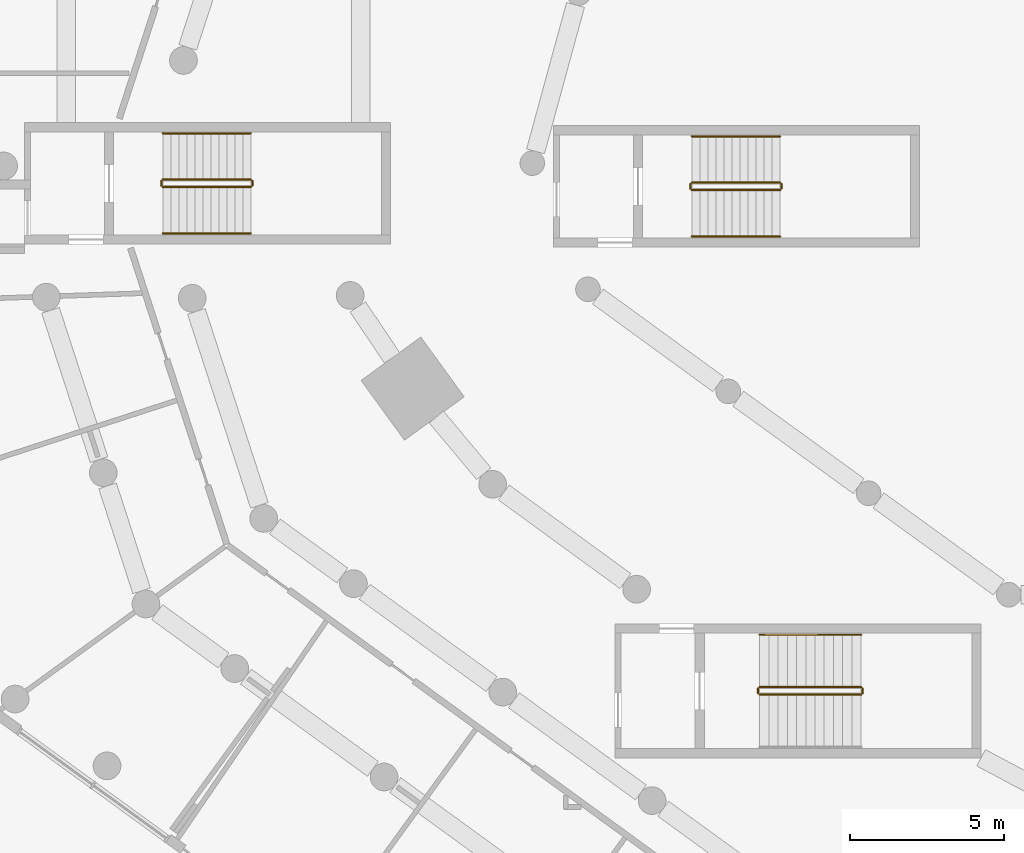
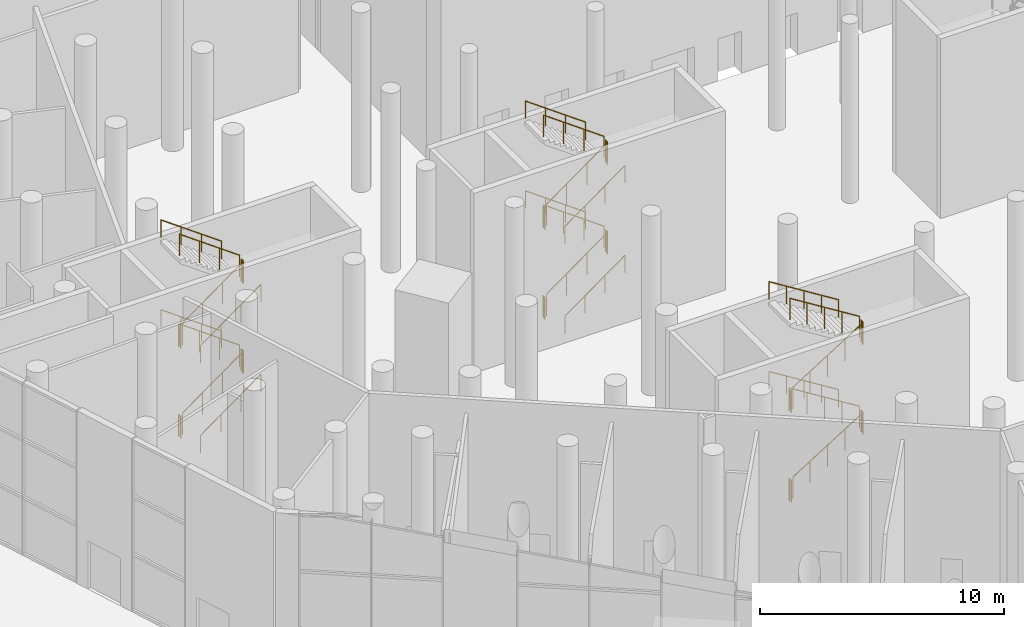
# One storey, part 20 of 25: 34 railings.
"""IFC4 building model written with IfcOpenShell, lengths in metres."""

from ifc_helpers import new_model, si_unit, direction, frame, origin, origin_2d, place, context, subcontext, project, spatial, circle, extrude, material, type_object, element, save


model = new_model("IFC4")

# Units and contexts
model_context = context("Model", 3, precision=1e-05, world=origin(), true_north=direction((0.0, 1.0)))
body_context = subcontext(model_context, "Body", "Model", "MODEL_VIEW")
ifc_project = project(units=[si_unit("LENGTHUNIT", "METRE"), si_unit("AREAUNIT", "SQUARE_METRE"), si_unit("VOLUMEUNIT", "CUBIC_METRE"), si_unit("PLANEANGLEUNIT", "RADIAN"), si_unit("MASSUNIT", "GRAM", prefix="KILO")], contexts=[model_context])

# Site, building, storey
site_placement = place(None, origin())
site = spatial("IfcSite", under=ifc_project, at=site_placement, CompositionType="ELEMENT")
building_placement = place(site_placement, origin())
building = spatial("IfcBuilding", under=site, at=building_placement, Name="White Candle Pilgrim Tower", CompositionType="ELEMENT")
storey_placement = place(building_placement, origin())
storey = spatial("IfcBuildingStorey", under=building, at=storey_placement, Name="L00", CompositionType="ELEMENT", Elevation=0.0)

# Railings
ifc_material = material(Name="Stainless steel", Category="steel")
railing_type_1 = type_object("IfcRailingType", Name="Stair guard stainless steel 1100 mm", PredefinedType="GUARDRAIL", material=ifc_material)
railing_1_placement = place(storey_placement, frame((57.5, 59.75, 0.1875)))
element("IfcRailing", 1, at=railing_1_placement, inside=storey, type_object=railing_type_1, Name="L00 ST5 stair guard 1", PredefinedType="GUARDRAIL", context=body_context, shape_type="SweptSolid", body=[
    extrude(circle(Radius=0.02392578125, at=origin_2d()), frame((0.0, 0.0, 1.076171875), z_axis=(0.811100754333, 0.0, 0.584906459462), x_axis=(0.0, 1.0, 0.0)), (0.0, 0.0, 1.0), 3.526123046875),
    extrude(circle(Radius=0.02099609375, at=origin_2d()), origin(), (0.0, 0.0, 1.0), 1.052001953125),
    extrude(circle(Radius=0.02099609375, at=origin_2d()), frame((0.953369140625, 0.0, 0.6875)), (0.0, 0.0, 1.0), 1.052001953125),
    extrude(circle(Radius=0.02099609375, at=origin_2d()), frame((1.90673828125, 0.0, 1.375)), (0.0, 0.0, 1.0), 1.052001953125),
    extrude(circle(Radius=0.02099609375, at=origin_2d()), frame((2.860107421875, 0.0, 2.0625)), (0.0, 0.0, 1.0), 1.052001953125),
])
railing_2_placement = place(storey_placement, frame((60.409912109375, 59.800048828125, 2.25)))
element("IfcRailing", 2, at=railing_2_placement, inside=storey, type_object=railing_type_1, Name="L00 ST5 stair guard 2", PredefinedType="GUARDRAIL", context=body_context, shape_type="SweptSolid", body=[
    extrude(circle(Radius=0.02392578125, at=origin_2d()), frame((0.0, 0.0, 1.076171875), z_axis=(0.0, 1.0, 0.0), x_axis=(-1.0, 0.0, 0.0)), (0.0, 0.0, 1.0), 0.14990234375),
    extrude(circle(Radius=0.02099609375, at=origin_2d()), origin(), (0.0, 0.0, 1.0), 1.052001953125),
    extrude(circle(Radius=0.02099609375, at=origin_2d()), frame((0.0, 0.14990234375, 0.0)), (0.0, 0.0, 1.0), 1.052001953125),
])
railing_3_placement = place(storey_placement, frame((60.360107421875, 60.0, 2.4375)))
element("IfcRailing", 3, at=railing_3_placement, inside=storey, type_object=railing_type_1, Name="L00 ST5 stair guard 3", PredefinedType="GUARDRAIL", context=body_context, shape_type="SweptSolid", body=[
    extrude(circle(Radius=0.02392578125, at=origin_2d()), frame((0.0, 0.0, 1.076171875), z_axis=(-0.811100754333, 0.0, 0.584906459462), x_axis=(0.0, -1.0, 0.0)), (0.0, 0.0, 1.0), 3.526123046875),
    extrude(circle(Radius=0.02099609375, at=origin_2d()), origin(), (0.0, 0.0, 1.0), 1.052001953125),
    extrude(circle(Radius=0.02099609375, at=origin_2d()), frame((-0.953369140625, 0.0, 0.6875)), (0.0, 0.0, 1.0), 1.052001953125),
    extrude(circle(Radius=0.02099609375, at=origin_2d()), frame((-1.90673828125, 0.0, 1.375)), (0.0, 0.0, 1.0), 1.052001953125),
    extrude(circle(Radius=0.02099609375, at=origin_2d()), frame((-2.860107421875, 0.0, 2.0625)), (0.0, 0.0, 1.0), 1.052001953125),
])
railing_4_placement = place(storey_placement, frame((57.449951171875, 59.800048828125, 4.5)))
element("IfcRailing", 4, at=railing_4_placement, inside=storey, type_object=railing_type_1, Name="L00 ST5 stair guard 4", PredefinedType="GUARDRAIL", context=body_context, shape_type="SweptSolid", body=[
    extrude(circle(Radius=0.02392578125, at=origin_2d()), frame((0.0, 0.0, 1.076171875), z_axis=(0.0, 1.0, 0.0), x_axis=(-1.0, 0.0, 0.0)), (0.0, 0.0, 1.0), 0.14990234375),
    extrude(circle(Radius=0.02099609375, at=origin_2d()), origin(), (0.0, 0.0, 1.0), 1.052001953125),
    extrude(circle(Radius=0.02099609375, at=origin_2d()), frame((0.0, 0.14990234375, 0.0)), (0.0, 0.0, 1.0), 1.052001953125),
])
railing_5_placement = place(storey_placement, frame((57.5, 59.75, 4.6875)))
element("IfcRailing", 5, at=railing_5_placement, inside=storey, type_object=railing_type_1, Name="L00 ST5 stair guard 5", PredefinedType="GUARDRAIL", context=body_context, shape_type="SweptSolid", body=[
    extrude(circle(Radius=0.02392578125, at=origin_2d()), frame((0.0, 0.0, 1.076171875), z_axis=(0.811100754333, 0.0, 0.584906459462), x_axis=(0.0, 1.0, 0.0)), (0.0, 0.0, 1.0), 3.526123046875),
    extrude(circle(Radius=0.02099609375, at=origin_2d()), origin(), (0.0, 0.0, 1.0), 1.052001953125),
    extrude(circle(Radius=0.02099609375, at=origin_2d()), frame((0.953369140625, 0.0, 0.6875)), (0.0, 0.0, 1.0), 1.052001953125),
    extrude(circle(Radius=0.02099609375, at=origin_2d()), frame((1.90673828125, 0.0, 1.375)), (0.0, 0.0, 1.0), 1.052001953125),
    extrude(circle(Radius=0.02099609375, at=origin_2d()), frame((2.860107421875, 0.0, 2.0625)), (0.0, 0.0, 1.0), 1.052001953125),
])
railing_6_placement = place(storey_placement, frame((60.409912109375, 59.800048828125, 6.75)))
element("IfcRailing", 6, at=railing_6_placement, inside=storey, type_object=railing_type_1, Name="L00 ST5 stair guard 6", PredefinedType="GUARDRAIL", context=body_context, shape_type="SweptSolid", body=[
    extrude(circle(Radius=0.02392578125, at=origin_2d()), frame((0.0, 0.0, 1.076171875), z_axis=(0.0, 1.0, 0.0), x_axis=(-1.0, 0.0, 0.0)), (0.0, 0.0, 1.0), 0.14990234375),
    extrude(circle(Radius=0.02099609375, at=origin_2d()), origin(), (0.0, 0.0, 1.0), 1.052001953125),
    extrude(circle(Radius=0.02099609375, at=origin_2d()), frame((0.0, 0.14990234375, 0.0)), (0.0, 0.0, 1.0), 1.052001953125),
])
railing_7_placement = place(storey_placement, frame((60.360107421875, 60.0, 6.9375)))
element("IfcRailing", 7, at=railing_7_placement, inside=storey, type_object=railing_type_1, Name="L00 ST5 stair guard 7", PredefinedType="GUARDRAIL", context=body_context, shape_type="SweptSolid", body=[
    extrude(circle(Radius=0.02392578125, at=origin_2d()), frame((0.0, 0.0, 1.076171875), z_axis=(-0.811100754333, 0.0, 0.584906459462), x_axis=(0.0, -1.0, 0.0)), (0.0, 0.0, 1.0), 3.526123046875),
    extrude(circle(Radius=0.02099609375, at=origin_2d()), origin(), (0.0, 0.0, 1.0), 1.052001953125),
    extrude(circle(Radius=0.02099609375, at=origin_2d()), frame((-0.953369140625, 0.0, 0.6875)), (0.0, 0.0, 1.0), 1.052001953125),
    extrude(circle(Radius=0.02099609375, at=origin_2d()), frame((-1.90673828125, 0.0, 1.375)), (0.0, 0.0, 1.0), 1.052001953125),
    extrude(circle(Radius=0.02099609375, at=origin_2d()), frame((-2.860107421875, 0.0, 2.0625)), (0.0, 0.0, 1.0), 1.052001953125),
])
railing_8_placement = place(storey_placement, frame((57.449951171875, 59.800048828125, 0.0)))
element("IfcRailing", 8, at=railing_8_placement, inside=storey, type_object=railing_type_1, Name="L00 ST5 stair guard 8", PredefinedType="GUARDRAIL", context=body_context, shape_type="SweptSolid", body=[
    extrude(circle(Radius=0.02392578125, at=origin_2d()), frame((0.0, 0.0, 1.076171875), z_axis=(0.0, 1.0, 0.0), x_axis=(-1.0, 0.0, 0.0)), (0.0, 0.0, 1.0), 0.14990234375),
    extrude(circle(Radius=0.02099609375, at=origin_2d()), origin(), (0.0, 0.0, 1.0), 1.052001953125),
    extrude(circle(Radius=0.02099609375, at=origin_2d()), frame((0.0, 0.14990234375, 0.0)), (0.0, 0.0, 1.0), 1.052001953125),
])
railing_9_placement = place(storey_placement, frame((59.699951171875, 43.35009765625, 0.1875)))
element("IfcRailing", 9, at=railing_9_placement, inside=storey, type_object=railing_type_1, Name="L00 ST6 stair guard 1", PredefinedType="GUARDRAIL", context=body_context, shape_type="SweptSolid", body=[
    extrude(circle(Radius=0.02392578125, at=origin_2d()), frame((0.0, 0.0, 1.076171875), z_axis=(0.848001828478, 0.0, 0.529993300805), x_axis=(0.0, 1.0, 0.0)), (0.0, 0.0, 1.0), 3.8916015625),
    extrude(circle(Radius=0.02099609375, at=origin_2d()), origin(), (0.0, 0.0, 1.0), 1.052001953125),
    extrude(circle(Radius=0.02099609375, at=origin_2d()), frame((0.824951171875, 0.0, 0.515625)), (0.0, 0.0, 1.0), 1.052001953125),
    extrude(circle(Radius=0.02099609375, at=origin_2d()), frame((1.64990234375, 0.0, 1.03125)), (0.0, 0.0, 1.0), 1.052001953125),
    extrude(circle(Radius=0.02099609375, at=origin_2d()), frame((2.47509765625, 0.0, 1.546875)), (0.0, 0.0, 1.0), 1.052001953125),
    extrude(circle(Radius=0.02099609375, at=origin_2d()), frame((3.300048828125, 0.0, 2.0625)), (0.0, 0.0, 1.0), 1.052001953125),
])
railing_10_placement = place(storey_placement, frame((63.050048828125, 43.39990234375, 2.25)))
element("IfcRailing", 10, at=railing_10_placement, inside=storey, type_object=railing_type_1, Name="L00 ST6 stair guard 2", PredefinedType="GUARDRAIL", context=body_context, shape_type="SweptSolid", body=[
    extrude(circle(Radius=0.02392578125, at=origin_2d()), frame((0.0, 0.0, 1.076171875), z_axis=(0.0, 1.0, 0.0), x_axis=(-1.0, 0.0, 0.0)), (0.0, 0.0, 1.0), 0.150146484375),
    extrude(circle(Radius=0.02099609375, at=origin_2d()), origin(), (0.0, 0.0, 1.0), 1.052001953125),
    extrude(circle(Radius=0.02099609375, at=origin_2d()), frame((0.0, 0.150146484375, 0.0)), (0.0, 0.0, 1.0), 1.052001953125),
])
railing_11_placement = place(storey_placement, frame((63.0, 43.60009765625, 2.4375)))
element("IfcRailing", 11, at=railing_11_placement, inside=storey, type_object=railing_type_1, Name="L00 ST6 stair guard 3", PredefinedType="GUARDRAIL", context=body_context, shape_type="SweptSolid", body=[
    extrude(circle(Radius=0.02392578125, at=origin_2d()), frame((0.0, 0.0, 1.076171875), z_axis=(-0.848001828478, 0.0, 0.529993300805), x_axis=(0.0, -1.0, 0.0)), (0.0, 0.0, 1.0), 3.8916015625),
    extrude(circle(Radius=0.02099609375, at=origin_2d()), origin(), (0.0, 0.0, 1.0), 1.052001953125),
    extrude(circle(Radius=0.02099609375, at=origin_2d()), frame((-0.824951171875, 0.0, 0.515625)), (0.0, 0.0, 1.0), 1.052001953125),
    extrude(circle(Radius=0.02099609375, at=origin_2d()), frame((-1.64990234375, 0.0, 1.03125)), (0.0, 0.0, 1.0), 1.052001953125),
    extrude(circle(Radius=0.02099609375, at=origin_2d()), frame((-2.47509765625, 0.0, 1.546875)), (0.0, 0.0, 1.0), 1.052001953125),
    extrude(circle(Radius=0.02099609375, at=origin_2d()), frame((-3.300048828125, 0.0, 2.0625)), (0.0, 0.0, 1.0), 1.052001953125),
])
railing_12_placement = place(storey_placement, frame((59.64990234375, 43.39990234375, 4.5)))
element("IfcRailing", 12, at=railing_12_placement, inside=storey, type_object=railing_type_1, Name="L00 ST6 stair guard 4", PredefinedType="GUARDRAIL", context=body_context, shape_type="SweptSolid", body=[
    extrude(circle(Radius=0.02392578125, at=origin_2d()), frame((0.0, 0.0, 1.076171875), z_axis=(0.0, 1.0, 0.0), x_axis=(-1.0, 0.0, 0.0)), (0.0, 0.0, 1.0), 0.150146484375),
    extrude(circle(Radius=0.02099609375, at=origin_2d()), origin(), (0.0, 0.0, 1.0), 1.052001953125),
    extrude(circle(Radius=0.02099609375, at=origin_2d()), frame((0.0, 0.150146484375, 0.0)), (0.0, 0.0, 1.0), 1.052001953125),
])
railing_13_placement = place(storey_placement, frame((59.699951171875, 43.35009765625, 4.6875)))
element("IfcRailing", 13, at=railing_13_placement, inside=storey, type_object=railing_type_1, Name="L00 ST6 stair guard 5", PredefinedType="GUARDRAIL", context=body_context, shape_type="SweptSolid", body=[
    extrude(circle(Radius=0.02392578125, at=origin_2d()), frame((0.0, 0.0, 1.076171875), z_axis=(0.848001828478, 0.0, 0.529993300805), x_axis=(0.0, 1.0, 0.0)), (0.0, 0.0, 1.0), 3.8916015625),
    extrude(circle(Radius=0.02099609375, at=origin_2d()), origin(), (0.0, 0.0, 1.0), 1.052001953125),
    extrude(circle(Radius=0.02099609375, at=origin_2d()), frame((0.824951171875, 0.0, 0.515625)), (0.0, 0.0, 1.0), 1.052001953125),
    extrude(circle(Radius=0.02099609375, at=origin_2d()), frame((1.64990234375, 0.0, 1.03125)), (0.0, 0.0, 1.0), 1.052001953125),
    extrude(circle(Radius=0.02099609375, at=origin_2d()), frame((2.47509765625, 0.0, 1.546875)), (0.0, 0.0, 1.0), 1.052001953125),
    extrude(circle(Radius=0.02099609375, at=origin_2d()), frame((3.300048828125, 0.0, 2.0625)), (0.0, 0.0, 1.0), 1.052001953125),
])
railing_14_placement = place(storey_placement, frame((63.050048828125, 43.39990234375, 6.75)))
element("IfcRailing", 14, at=railing_14_placement, inside=storey, type_object=railing_type_1, Name="L00 ST6 stair guard 6", PredefinedType="GUARDRAIL", context=body_context, shape_type="SweptSolid", body=[
    extrude(circle(Radius=0.02392578125, at=origin_2d()), frame((0.0, 0.0, 1.076171875), z_axis=(0.0, 1.0, 0.0), x_axis=(-1.0, 0.0, 0.0)), (0.0, 0.0, 1.0), 0.150146484375),
    extrude(circle(Radius=0.02099609375, at=origin_2d()), origin(), (0.0, 0.0, 1.0), 1.052001953125),
    extrude(circle(Radius=0.02099609375, at=origin_2d()), frame((0.0, 0.150146484375, 0.0)), (0.0, 0.0, 1.0), 1.052001953125),
])
railing_15_placement = place(storey_placement, frame((63.0, 43.60009765625, 6.9375)))
element("IfcRailing", 15, at=railing_15_placement, inside=storey, type_object=railing_type_1, Name="L00 ST6 stair guard 7", PredefinedType="GUARDRAIL", context=body_context, shape_type="SweptSolid", body=[
    extrude(circle(Radius=0.02392578125, at=origin_2d()), frame((0.0, 0.0, 1.076171875), z_axis=(-0.848001828478, 0.0, 0.529993300805), x_axis=(0.0, -1.0, 0.0)), (0.0, 0.0, 1.0), 3.8916015625),
    extrude(circle(Radius=0.02099609375, at=origin_2d()), origin(), (0.0, 0.0, 1.0), 1.052001953125),
    extrude(circle(Radius=0.02099609375, at=origin_2d()), frame((-0.824951171875, 0.0, 0.515625)), (0.0, 0.0, 1.0), 1.052001953125),
    extrude(circle(Radius=0.02099609375, at=origin_2d()), frame((-1.64990234375, 0.0, 1.03125)), (0.0, 0.0, 1.0), 1.052001953125),
    extrude(circle(Radius=0.02099609375, at=origin_2d()), frame((-2.47509765625, 0.0, 1.546875)), (0.0, 0.0, 1.0), 1.052001953125),
    extrude(circle(Radius=0.02099609375, at=origin_2d()), frame((-3.300048828125, 0.0, 2.0625)), (0.0, 0.0, 1.0), 1.052001953125),
])
railing_16_placement = place(storey_placement, frame((59.64990234375, 43.39990234375, 0.0)))
element("IfcRailing", 16, at=railing_16_placement, inside=storey, type_object=railing_type_1, Name="L00 ST6 stair guard 8", PredefinedType="GUARDRAIL", context=body_context, shape_type="SweptSolid", body=[
    extrude(circle(Radius=0.02392578125, at=origin_2d()), frame((0.0, 0.0, 1.076171875), z_axis=(0.0, 1.0, 0.0), x_axis=(-1.0, 0.0, 0.0)), (0.0, 0.0, 1.0), 0.150146484375),
    extrude(circle(Radius=0.02099609375, at=origin_2d()), origin(), (0.0, 0.0, 1.0), 1.052001953125),
    extrude(circle(Radius=0.02099609375, at=origin_2d()), frame((0.0, 0.150146484375, 0.0)), (0.0, 0.0, 1.0), 1.052001953125),
])
railing_17_placement = place(storey_placement, frame((40.300048828125, 59.85009765625, 0.1875)))
element("IfcRailing", 17, at=railing_17_placement, inside=storey, type_object=railing_type_1, Name="L00 ST8 stair guard 1", PredefinedType="GUARDRAIL", context=body_context, shape_type="SweptSolid", body=[
    extrude(circle(Radius=0.02392578125, at=origin_2d()), frame((0.0, 0.0, 1.076171875), z_axis=(0.811077065594, 0.0, 0.584939307678), x_axis=(0.0, 1.0, 0.0)), (0.0, 0.0, 1.0), 3.526123046875),
    extrude(circle(Radius=0.02099609375, at=origin_2d()), origin(), (0.0, 0.0, 1.0), 1.052001953125),
    extrude(circle(Radius=0.02099609375, at=origin_2d()), frame((0.953369140625, 0.0, 0.6875)), (0.0, 0.0, 1.0), 1.052001953125),
    extrude(circle(Radius=0.02099609375, at=origin_2d()), frame((1.906494140625, 0.0, 1.375)), (0.0, 0.0, 1.0), 1.052001953125),
    extrude(circle(Radius=0.02099609375, at=origin_2d()), frame((2.85986328125, 0.0, 2.0625)), (0.0, 0.0, 1.0), 1.052001953125),
])
railing_18_placement = place(storey_placement, frame((43.2099609375, 59.89990234375, 2.25)))
element("IfcRailing", 18, at=railing_18_placement, inside=storey, type_object=railing_type_1, Name="L00 ST8 stair guard 2", PredefinedType="GUARDRAIL", context=body_context, shape_type="SweptSolid", body=[
    extrude(circle(Radius=0.02392578125, at=origin_2d()), frame((0.0, 0.0, 1.076171875), z_axis=(0.0, 1.0, 0.0), x_axis=(-1.0, 0.0, 0.0)), (0.0, 0.0, 1.0), 0.150146484375),
    extrude(circle(Radius=0.02099609375, at=origin_2d()), origin(), (0.0, 0.0, 1.0), 1.052001953125),
    extrude(circle(Radius=0.02099609375, at=origin_2d()), frame((0.0, 0.150146484375, 0.0)), (0.0, 0.0, 1.0), 1.052001953125),
])
railing_19_placement = place(storey_placement, frame((43.159912109375, 60.10009765625, 2.4375)))
element("IfcRailing", 19, at=railing_19_placement, inside=storey, type_object=railing_type_1, Name="L00 ST8 stair guard 3", PredefinedType="GUARDRAIL", context=body_context, shape_type="SweptSolid", body=[
    extrude(circle(Radius=0.02392578125, at=origin_2d()), frame((0.0, 0.0, 1.076171875), z_axis=(-0.811077065594, 0.0, 0.584939307678), x_axis=(0.0, -1.0, 0.0)), (0.0, 0.0, 1.0), 3.526123046875),
    extrude(circle(Radius=0.02099609375, at=origin_2d()), origin(), (0.0, 0.0, 1.0), 1.052001953125),
    extrude(circle(Radius=0.02099609375, at=origin_2d()), frame((-0.953369140625, 0.0, 0.6875)), (0.0, 0.0, 1.0), 1.052001953125),
    extrude(circle(Radius=0.02099609375, at=origin_2d()), frame((-1.906494140625, 0.0, 1.375)), (0.0, 0.0, 1.0), 1.052001953125),
    extrude(circle(Radius=0.02099609375, at=origin_2d()), frame((-2.85986328125, 0.0, 2.0625)), (0.0, 0.0, 1.0), 1.052001953125),
])
railing_20_placement = place(storey_placement, frame((40.25, 59.89990234375, 4.5)))
element("IfcRailing", 20, at=railing_20_placement, inside=storey, type_object=railing_type_1, Name="L00 ST8 stair guard 4", PredefinedType="GUARDRAIL", context=body_context, shape_type="SweptSolid", body=[
    extrude(circle(Radius=0.02392578125, at=origin_2d()), frame((0.0, 0.0, 1.076171875), z_axis=(0.0, 1.0, 0.0), x_axis=(-1.0, 0.0, 0.0)), (0.0, 0.0, 1.0), 0.150146484375),
    extrude(circle(Radius=0.02099609375, at=origin_2d()), origin(), (0.0, 0.0, 1.0), 1.052001953125),
    extrude(circle(Radius=0.02099609375, at=origin_2d()), frame((0.0, 0.150146484375, 0.0)), (0.0, 0.0, 1.0), 1.052001953125),
])
railing_21_placement = place(storey_placement, frame((40.300048828125, 59.85009765625, 4.6875)))
element("IfcRailing", 21, at=railing_21_placement, inside=storey, type_object=railing_type_1, Name="L00 ST8 stair guard 5", PredefinedType="GUARDRAIL", context=body_context, shape_type="SweptSolid", body=[
    extrude(circle(Radius=0.02392578125, at=origin_2d()), frame((0.0, 0.0, 1.076171875), z_axis=(0.811077065594, 0.0, 0.584939307678), x_axis=(0.0, 1.0, 0.0)), (0.0, 0.0, 1.0), 3.526123046875),
    extrude(circle(Radius=0.02099609375, at=origin_2d()), origin(), (0.0, 0.0, 1.0), 1.052001953125),
    extrude(circle(Radius=0.02099609375, at=origin_2d()), frame((0.953369140625, 0.0, 0.6875)), (0.0, 0.0, 1.0), 1.052001953125),
    extrude(circle(Radius=0.02099609375, at=origin_2d()), frame((1.906494140625, 0.0, 1.375)), (0.0, 0.0, 1.0), 1.052001953125),
    extrude(circle(Radius=0.02099609375, at=origin_2d()), frame((2.85986328125, 0.0, 2.0625)), (0.0, 0.0, 1.0), 1.052001953125),
])
railing_22_placement = place(storey_placement, frame((43.2099609375, 59.89990234375, 6.75)))
element("IfcRailing", 22, at=railing_22_placement, inside=storey, type_object=railing_type_1, Name="L00 ST8 stair guard 6", PredefinedType="GUARDRAIL", context=body_context, shape_type="SweptSolid", body=[
    extrude(circle(Radius=0.02392578125, at=origin_2d()), frame((0.0, 0.0, 1.076171875), z_axis=(0.0, 1.0, 0.0), x_axis=(-1.0, 0.0, 0.0)), (0.0, 0.0, 1.0), 0.150146484375),
    extrude(circle(Radius=0.02099609375, at=origin_2d()), origin(), (0.0, 0.0, 1.0), 1.052001953125),
    extrude(circle(Radius=0.02099609375, at=origin_2d()), frame((0.0, 0.150146484375, 0.0)), (0.0, 0.0, 1.0), 1.052001953125),
])
railing_23_placement = place(storey_placement, frame((43.159912109375, 60.10009765625, 6.9375)))
element("IfcRailing", 23, at=railing_23_placement, inside=storey, type_object=railing_type_1, Name="L00 ST8 stair guard 7", PredefinedType="GUARDRAIL", context=body_context, shape_type="SweptSolid", body=[
    extrude(circle(Radius=0.02392578125, at=origin_2d()), frame((0.0, 0.0, 1.076171875), z_axis=(-0.811077065594, 0.0, 0.584939307678), x_axis=(0.0, -1.0, 0.0)), (0.0, 0.0, 1.0), 3.526123046875),
    extrude(circle(Radius=0.02099609375, at=origin_2d()), origin(), (0.0, 0.0, 1.0), 1.052001953125),
    extrude(circle(Radius=0.02099609375, at=origin_2d()), frame((-0.953369140625, 0.0, 0.6875)), (0.0, 0.0, 1.0), 1.052001953125),
    extrude(circle(Radius=0.02099609375, at=origin_2d()), frame((-1.906494140625, 0.0, 1.375)), (0.0, 0.0, 1.0), 1.052001953125),
    extrude(circle(Radius=0.02099609375, at=origin_2d()), frame((-2.85986328125, 0.0, 2.0625)), (0.0, 0.0, 1.0), 1.052001953125),
])
railing_24_placement = place(storey_placement, frame((40.25, 59.89990234375, 0.0)))
element("IfcRailing", 24, at=railing_24_placement, inside=storey, type_object=railing_type_1, Name="L00 ST8 stair guard 8", PredefinedType="GUARDRAIL", context=body_context, shape_type="SweptSolid", body=[
    extrude(circle(Radius=0.02392578125, at=origin_2d()), frame((0.0, 0.0, 1.076171875), z_axis=(0.0, 1.0, 0.0), x_axis=(-1.0, 0.0, 0.0)), (0.0, 0.0, 1.0), 0.150146484375),
    extrude(circle(Radius=0.02099609375, at=origin_2d()), origin(), (0.0, 0.0, 1.0), 1.052001953125),
    extrude(circle(Radius=0.02099609375, at=origin_2d()), frame((0.0, 0.150146484375, 0.0)), (0.0, 0.0, 1.0), 1.052001953125),
])
railing_type_2 = type_object("IfcRailingType", Name="Stair handrail stainless steel", PredefinedType="HANDRAIL", material=ifc_material)
railing_25_placement = place(storey_placement, frame((57.5, 58.25, 0.1875)))
element("IfcRailing", 25, at=railing_25_placement, inside=storey, type_object=railing_type_2, Name="L00 ST5 stair handrail 1", PredefinedType="HANDRAIL", context=body_context, shape_type="SweptSolid", body=[
    extrude(circle(Radius=0.02392578125, at=origin_2d()), frame((0.0, 0.0, 0.8759765625), z_axis=(0.811100754333, 0.0, 0.584906459462), x_axis=(0.0, 1.0, 0.0)), (0.0, 0.0, 1.0), 3.526123046875),
    extrude(circle(Radius=0.02099609375, at=origin_2d()), origin(), (0.0, 0.0, 1.0), 0.851806640625),
    extrude(circle(Radius=0.02099609375, at=origin_2d()), frame((0.953369140625, 0.0, 0.6875)), (0.0, 0.0, 1.0), 0.851806640625),
    extrude(circle(Radius=0.02099609375, at=origin_2d()), frame((1.90673828125, 0.0, 1.375)), (0.0, 0.0, 1.0), 0.851806640625),
    extrude(circle(Radius=0.02099609375, at=origin_2d()), frame((2.860107421875, 0.0, 2.0625)), (0.0, 0.0, 1.0), 0.851806640625),
])
railing_26_placement = place(storey_placement, frame((60.360107421875, 61.5, 2.4375)))
element("IfcRailing", 26, at=railing_26_placement, inside=storey, type_object=railing_type_2, Name="L00 ST5 stair handrail 2", PredefinedType="HANDRAIL", context=body_context, shape_type="SweptSolid", body=[
    extrude(circle(Radius=0.02392578125, at=origin_2d()), frame((0.0, 0.0, 0.8759765625), z_axis=(-0.811100754333, 0.0, 0.584906459462), x_axis=(0.0, -1.0, 0.0)), (0.0, 0.0, 1.0), 3.526123046875),
    extrude(circle(Radius=0.02099609375, at=origin_2d()), origin(), (0.0, 0.0, 1.0), 0.851806640625),
    extrude(circle(Radius=0.02099609375, at=origin_2d()), frame((-0.953369140625, 0.0, 0.6875)), (0.0, 0.0, 1.0), 0.851806640625),
    extrude(circle(Radius=0.02099609375, at=origin_2d()), frame((-1.90673828125, 0.0, 1.375)), (0.0, 0.0, 1.0), 0.851806640625),
    extrude(circle(Radius=0.02099609375, at=origin_2d()), frame((-2.860107421875, 0.0, 2.0625)), (0.0, 0.0, 1.0), 0.851806640625),
])
railing_27_placement = place(storey_placement, frame((57.5, 58.25, 4.6875)))
element("IfcRailing", 27, at=railing_27_placement, inside=storey, type_object=railing_type_2, Name="L00 ST5 stair handrail 3", PredefinedType="HANDRAIL", context=body_context, shape_type="SweptSolid", body=[
    extrude(circle(Radius=0.02392578125, at=origin_2d()), frame((0.0, 0.0, 0.8759765625), z_axis=(0.811100754333, 0.0, 0.584906459462), x_axis=(0.0, 1.0, 0.0)), (0.0, 0.0, 1.0), 3.526123046875),
    extrude(circle(Radius=0.02099609375, at=origin_2d()), origin(), (0.0, 0.0, 1.0), 0.851806640625),
    extrude(circle(Radius=0.02099609375, at=origin_2d()), frame((0.953369140625, 0.0, 0.6875)), (0.0, 0.0, 1.0), 0.851806640625),
    extrude(circle(Radius=0.02099609375, at=origin_2d()), frame((1.90673828125, 0.0, 1.375)), (0.0, 0.0, 1.0), 0.851806640625),
    extrude(circle(Radius=0.02099609375, at=origin_2d()), frame((2.860107421875, 0.0, 2.0625)), (0.0, 0.0, 1.0), 0.851806640625),
])
railing_28_placement = place(storey_placement, frame((60.360107421875, 61.5, 6.9375)))
element("IfcRailing", 28, at=railing_28_placement, inside=storey, type_object=railing_type_2, Name="L00 ST5 stair handrail 4", PredefinedType="HANDRAIL", context=body_context, shape_type="SweptSolid", body=[
    extrude(circle(Radius=0.02392578125, at=origin_2d()), frame((0.0, 0.0, 0.8759765625), z_axis=(-0.811100754333, 0.0, 0.584906459462), x_axis=(0.0, -1.0, 0.0)), (0.0, 0.0, 1.0), 3.526123046875),
    extrude(circle(Radius=0.02099609375, at=origin_2d()), origin(), (0.0, 0.0, 1.0), 0.851806640625),
    extrude(circle(Radius=0.02099609375, at=origin_2d()), frame((-0.953369140625, 0.0, 0.6875)), (0.0, 0.0, 1.0), 0.851806640625),
    extrude(circle(Radius=0.02099609375, at=origin_2d()), frame((-1.90673828125, 0.0, 1.375)), (0.0, 0.0, 1.0), 0.851806640625),
    extrude(circle(Radius=0.02099609375, at=origin_2d()), frame((-2.860107421875, 0.0, 2.0625)), (0.0, 0.0, 1.0), 0.851806640625),
])
for number, where, name in (
    (29, (63.0, 45.300048828125, 2.4375), "L00 ST6 stair handrail 2"),
    (30, (63.0, 45.300048828125, 6.9375), "L00 ST6 stair handrail 4"),
):
    element("IfcRailing", number, at=place(storey_placement, frame(where)), inside=storey, type_object=railing_type_2, Name=name, PredefinedType="HANDRAIL", context=body_context, shape_type="SweptSolid", body=[
        extrude(circle(Radius=0.02392578125, at=origin_2d()), frame((0.0, 0.0, 0.8759765625), z_axis=(-0.848001828478, 0.0, 0.529993300805), x_axis=(0.0, -1.0, 0.0)), (0.0, 0.0, 1.0), 3.8916015625),
        extrude(circle(Radius=0.02099609375, at=origin_2d()), origin(), (0.0, 0.0, 1.0), 0.851806640625),
        extrude(circle(Radius=0.02099609375, at=origin_2d()), frame((-0.824951171875, 0.0, 0.515625)), (0.0, 0.0, 1.0), 0.851806640625),
        extrude(circle(Radius=0.02099609375, at=origin_2d()), frame((-1.64990234375, 0.0, 1.03125)), (0.0, 0.0, 1.0), 0.851806640625),
        extrude(circle(Radius=0.02099609375, at=origin_2d()), frame((-2.47509765625, 0.0, 1.546875)), (0.0, 0.0, 1.0), 0.851806640625),
        extrude(circle(Radius=0.02099609375, at=origin_2d()), frame((-3.300048828125, 0.0, 2.0625)), (0.0, 0.0, 1.0), 0.851806640625),
    ])
railing_29_placement = place(storey_placement, frame((40.300048828125, 58.35009765625, 0.1875)))
element("IfcRailing", 31, at=railing_29_placement, inside=storey, type_object=railing_type_2, Name="L00 ST8 stair handrail 1", PredefinedType="HANDRAIL", context=body_context, shape_type="SweptSolid", body=[
    extrude(circle(Radius=0.02392578125, at=origin_2d()), frame((0.0, 0.0, 0.8759765625), z_axis=(0.811077065594, 0.0, 0.584939307678), x_axis=(0.0, 1.0, 0.0)), (0.0, 0.0, 1.0), 3.526123046875),
    extrude(circle(Radius=0.02099609375, at=origin_2d()), origin(), (0.0, 0.0, 1.0), 0.851806640625),
    extrude(circle(Radius=0.02099609375, at=origin_2d()), frame((0.953369140625, 0.0, 0.6875)), (0.0, 0.0, 1.0), 0.851806640625),
    extrude(circle(Radius=0.02099609375, at=origin_2d()), frame((1.906494140625, 0.0, 1.375)), (0.0, 0.0, 1.0), 0.851806640625),
    extrude(circle(Radius=0.02099609375, at=origin_2d()), frame((2.85986328125, 0.0, 2.0625)), (0.0, 0.0, 1.0), 0.851806640625),
])
railing_30_placement = place(storey_placement, frame((43.159912109375, 61.60009765625, 2.4375)))
element("IfcRailing", 32, at=railing_30_placement, inside=storey, type_object=railing_type_2, Name="L00 ST8 stair handrail 2", PredefinedType="HANDRAIL", context=body_context, shape_type="SweptSolid", body=[
    extrude(circle(Radius=0.02392578125, at=origin_2d()), frame((0.0, 0.0, 0.8759765625), z_axis=(-0.811077065594, 0.0, 0.584939307678), x_axis=(0.0, -1.0, 0.0)), (0.0, 0.0, 1.0), 3.526123046875),
    extrude(circle(Radius=0.02099609375, at=origin_2d()), origin(), (0.0, 0.0, 1.0), 0.851806640625),
    extrude(circle(Radius=0.02099609375, at=origin_2d()), frame((-0.953369140625, 0.0, 0.6875)), (0.0, 0.0, 1.0), 0.851806640625),
    extrude(circle(Radius=0.02099609375, at=origin_2d()), frame((-1.906494140625, 0.0, 1.375)), (0.0, 0.0, 1.0), 0.851806640625),
    extrude(circle(Radius=0.02099609375, at=origin_2d()), frame((-2.85986328125, 0.0, 2.0625)), (0.0, 0.0, 1.0), 0.851806640625),
])
railing_31_placement = place(storey_placement, frame((40.300048828125, 58.35009765625, 4.6875)))
element("IfcRailing", 33, at=railing_31_placement, inside=storey, type_object=railing_type_2, Name="L00 ST8 stair handrail 3", PredefinedType="HANDRAIL", context=body_context, shape_type="SweptSolid", body=[
    extrude(circle(Radius=0.02392578125, at=origin_2d()), frame((0.0, 0.0, 0.8759765625), z_axis=(0.811077065594, 0.0, 0.584939307678), x_axis=(0.0, 1.0, 0.0)), (0.0, 0.0, 1.0), 3.526123046875),
    extrude(circle(Radius=0.02099609375, at=origin_2d()), origin(), (0.0, 0.0, 1.0), 0.851806640625),
    extrude(circle(Radius=0.02099609375, at=origin_2d()), frame((0.953369140625, 0.0, 0.6875)), (0.0, 0.0, 1.0), 0.851806640625),
    extrude(circle(Radius=0.02099609375, at=origin_2d()), frame((1.906494140625, 0.0, 1.375)), (0.0, 0.0, 1.0), 0.851806640625),
    extrude(circle(Radius=0.02099609375, at=origin_2d()), frame((2.85986328125, 0.0, 2.0625)), (0.0, 0.0, 1.0), 0.851806640625),
])
railing_32_placement = place(storey_placement, frame((43.159912109375, 61.60009765625, 6.9375)))
element("IfcRailing", 34, at=railing_32_placement, inside=storey, type_object=railing_type_2, Name="L00 ST8 stair handrail 4", PredefinedType="HANDRAIL", context=body_context, shape_type="SweptSolid", body=[
    extrude(circle(Radius=0.02392578125, at=origin_2d()), frame((0.0, 0.0, 0.8759765625), z_axis=(-0.811077065594, 0.0, 0.584939307678), x_axis=(0.0, -1.0, 0.0)), (0.0, 0.0, 1.0), 3.526123046875),
    extrude(circle(Radius=0.02099609375, at=origin_2d()), origin(), (0.0, 0.0, 1.0), 0.851806640625),
    extrude(circle(Radius=0.02099609375, at=origin_2d()), frame((-0.953369140625, 0.0, 0.6875)), (0.0, 0.0, 1.0), 0.851806640625),
    extrude(circle(Radius=0.02099609375, at=origin_2d()), frame((-1.906494140625, 0.0, 1.375)), (0.0, 0.0, 1.0), 0.851806640625),
    extrude(circle(Radius=0.02099609375, at=origin_2d()), frame((-2.85986328125, 0.0, 2.0625)), (0.0, 0.0, 1.0), 0.851806640625),
])

save(model, "model.ifc")
